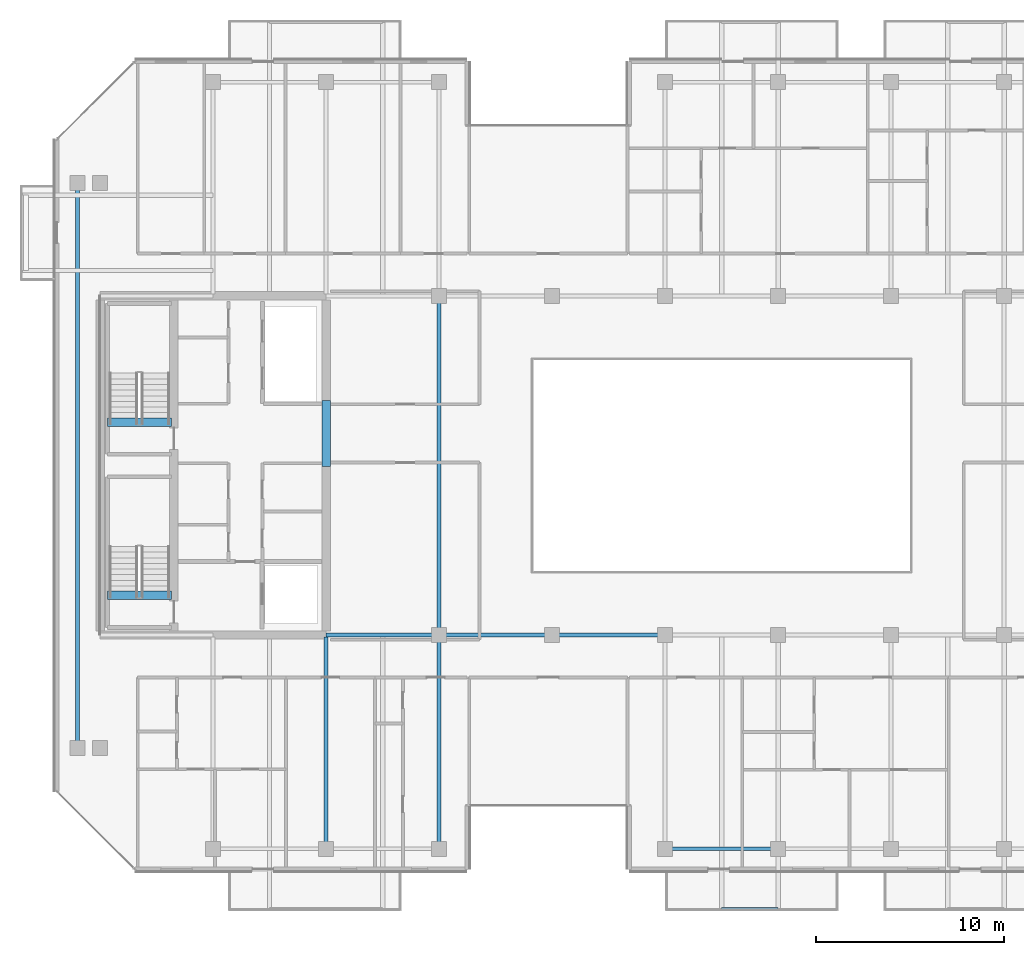
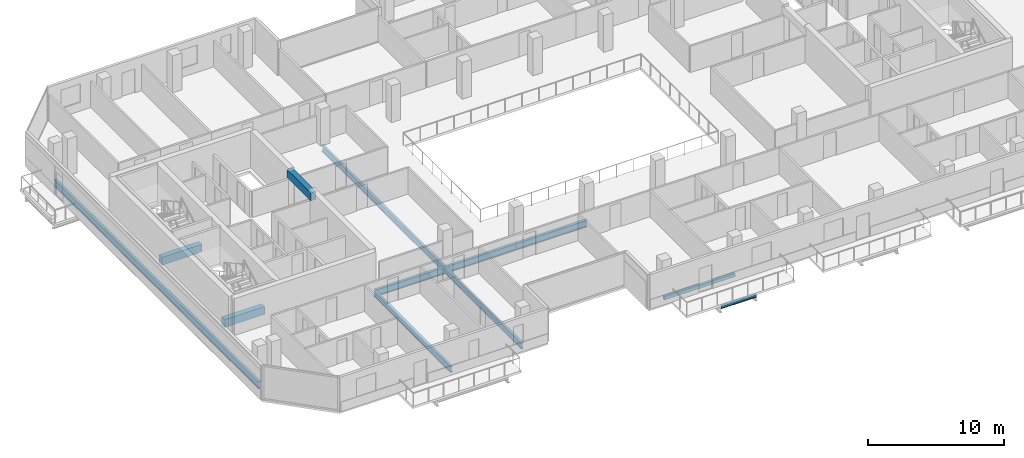
# One storey, part 5 of 28: 12 beams.
"""IFC4 building model written with IfcOpenShell, lengths in metres."""

from ifc_helpers import new_model, si_unit, direction, frame, origin, origin_2d, place, context, subcontext, project, spatial, rectangle, hollow_rectangle, i_section, extrude, material, material_profile, profile_set, type_object, element, save


model = new_model("IFC4")

# Units and contexts
model_context = context("Model", 3, precision=1e-05, world=origin(), true_north=direction((0.0, 1.0)))
body_context = subcontext(model_context, "Body", "Model", "MODEL_VIEW")
ifc_project = project(units=[si_unit("LENGTHUNIT", "METRE"), si_unit("AREAUNIT", "SQUARE_METRE"), si_unit("VOLUMEUNIT", "CUBIC_METRE"), si_unit("PLANEANGLEUNIT", "RADIAN"), si_unit("MASSUNIT", "GRAM", prefix="KILO")], contexts=[model_context])

# Site, building, storey
site_placement = place(None, origin())
site = spatial("IfcSite", under=ifc_project, at=site_placement, CompositionType="ELEMENT")
building_placement = place(site_placement, origin())
building = spatial("IfcBuilding", under=site, at=building_placement, Name="Tanjung Sevakor Pilgrim Tower", CompositionType="ELEMENT")
storey_placement = place(building_placement, frame((0.0, 0.0, 185.1298828125)))
storey = spatial("IfcBuildingStorey", under=building, at=storey_placement, Name="L51", CompositionType="ELEMENT", Elevation=185.1298828125)

# Beams
ifc_material_1 = material(Name="Steel S355J2", Category="steel")
ifc_material_profile_1 = material_profile(ifc_material_1, i_section(OverallWidth=0.22900390625, OverallDepth=0.6123046875, WebThickness=0.011962890625, FlangeThickness=0.01953125, FilletRadius=0.0126953125, at=origin_2d()))
ifc_profile_set_1 = profile_set([ifc_material_profile_1], Name="Steel S355J2")
beam_type_1 = type_object("IfcBeamType", Name="BM-B-G4-UB_610x229x125", PredefinedType="BEAM", material=ifc_profile_set_1)
beam_1_placement = place(storey_placement, frame((22.800048828125, 18.60009765625, -0.52587890625), z_axis=(0.0, 1.0, 0.0), x_axis=(-1.0, 0.0, 0.0)))
element("IfcBeam", 1, at=beam_1_placement, inside=storey, type_object=beam_type_1, Name="L51 Short-End Edge Girder W", PredefinedType="BEAM", context=body_context, shape_type="SweptSolid", body=[
    extrude(i_section(OverallWidth=0.22900390625, OverallDepth=0.6123046875, WebThickness=0.011962890625, FlangeThickness=0.01953125, FilletRadius=0.0126953125, at=origin_2d()), origin(), (0.0, 0.0, 1.0), 30.0),
])
for number, where, z_axis, x_axis, name in (
    (2, (36.0, 24.60009765625, -0.52587890625), (1.0, 0.0, 0.0), (0.0, 1.0, 0.0), "L51 Primary Floor Girder MAIN Y246-02"),
    (3, (42.0, 24.60009765625, -0.52587890625), (1.0, 0.0, 0.0), (0.0, 1.0, 0.0), "L51 Primary Floor Girder MAIN Y246-03"),
    (4, (48.0, 24.60009765625, -0.52587890625), (1.0, 0.0, 0.0), (0.0, 1.0, 0.0), "L51 Primary Floor Girder MAIN Y246-04"),
):
    element("IfcBeam", number, at=place(storey_placement, frame(where, z_axis=z_axis, x_axis=x_axis)), inside=storey, type_object=beam_type_1, Name=name, PredefinedType="BEAM", context=body_context, shape_type="SweptSolid", body=[
        extrude(i_section(OverallWidth=0.22900390625, OverallDepth=0.6123046875, WebThickness=0.011962890625, FlangeThickness=0.01953125, FilletRadius=0.0126953125, at=origin_2d()), origin(), (0.0, 0.0, 1.0), 6.0),
    ])
ifc_material_2 = material(Name="Steel S355J2", Category="steel")
ifc_material_profile_2 = material_profile(ifc_material_2, i_section(OverallWidth=0.2119140625, OverallDepth=0.54443359375, WebThickness=0.0126953125, FlangeThickness=0.021240234375, FilletRadius=0.0126953125, at=origin_2d()))
ifc_profile_set_2 = profile_set([ifc_material_profile_2], Name="Steel S355J2")
beam_type_2 = type_object("IfcBeamType", Name="BM-B-G5-UB_533x210x122", PredefinedType="BEAM", material=ifc_profile_set_2)
beam_2_placement = place(storey_placement, frame((36.0, 13.25, -0.4921875), z_axis=(0.0, 1.0, 0.0), x_axis=(-1.0, 0.0, 0.0)))
element("IfcBeam", 5, at=beam_2_placement, inside=storey, type_object=beam_type_2, Name="L51 MAIN Girder 003", PredefinedType="BEAM", context=body_context, shape_type="SweptSolid", body=[
    extrude(i_section(OverallWidth=0.2119140625, OverallDepth=0.54443359375, WebThickness=0.0126953125, FlangeThickness=0.021240234375, FilletRadius=0.0126953125, at=origin_2d()), origin(), (0.0, 0.0, 1.0), 11.235595703125),
])
beam_3_placement = place(storey_placement, frame((42.0, 13.25, -0.4921875), z_axis=(0.0, 1.0, 0.0), x_axis=(-1.0, 0.0, 0.0)))
element("IfcBeam", 6, at=beam_3_placement, inside=storey, type_object=beam_type_2, Name="L51 MAIN Girder 005", PredefinedType="BEAM", context=body_context, shape_type="SweptSolid", body=[
    extrude(i_section(OverallWidth=0.2119140625, OverallDepth=0.54443359375, WebThickness=0.0126953125, FlangeThickness=0.021240234375, FilletRadius=0.0126953125, at=origin_2d()), origin(), (0.0, 0.0, 1.0), 11.35009765625),
])
beam_4_placement = place(storey_placement, frame((42.0, 24.60009765625, -0.4921875), z_axis=(0.0, 1.0, 0.0), x_axis=(-1.0, 0.0, 0.0)))
element("IfcBeam", 7, at=beam_4_placement, inside=storey, type_object=beam_type_2, Name="L51 MAIN Girder 006", PredefinedType="BEAM", context=body_context, shape_type="SweptSolid", body=[
    extrude(i_section(OverallWidth=0.2119140625, OverallDepth=0.54443359375, WebThickness=0.0126953125, FlangeThickness=0.021240234375, FilletRadius=0.0126953125, at=origin_2d()), origin(), (0.0, 0.0, 1.0), 18.0),
])
ifc_material_3 = material(Name="Steel S355J2", Category="steel")
ifc_material_profile_3 = material_profile(ifc_material_3, i_section(OverallWidth=0.146484375, OverallDepth=0.256103515625, WebThickness=0.00634765625, FlangeThickness=0.010986328125, FilletRadius=0.007568359375, at=origin_2d()))
ifc_profile_set_3 = profile_set([ifc_material_profile_3], Name="Steel S355J2")
beam_type_3 = type_object("IfcBeamType", Name="BM-B-J6-UB_254x146x37", PredefinedType="JOIST", material=ifc_profile_set_3)
beam_5_placement = place(storey_placement, frame((57.0, 10.070068359375, -0.327880859375), z_axis=(1.0, 0.0, 0.0), x_axis=(0.0, 1.0, 0.0)))
element("IfcBeam", 8, at=beam_5_placement, inside=storey, type_object=beam_type_3, Name="L51 Balcony Rim Tie MAIN-S2", PredefinedType="JOIST", context=body_context, shape_type="SweptSolid", body=[
    extrude(i_section(OverallWidth=0.146484375, OverallDepth=0.256103515625, WebThickness=0.00634765625, FlangeThickness=0.010986328125, FilletRadius=0.007568359375, at=origin_2d()), origin(), (0.0, 0.0, 1.0), 3.0),
])
ifc_material_4 = material(Name="Concrete C60/75", Category="concrete")
ifc_material_profile_4 = material_profile(ifc_material_4, rectangle(XDim=0.449951171875, YDim=0.699951171875, at=origin_2d()))
ifc_profile_set_4 = profile_set([ifc_material_profile_4], Name="Concrete C60/75")
beam_type_4 = type_object("IfcBeamType", Name="BM-B-LN3-RC-BM_450x700", PredefinedType="LINTEL", material=ifc_profile_set_4)
beam_6_placement = place(storey_placement, frame((36.0, 33.550048828125, 2.730224609375), z_axis=(0.0, 1.0, 0.0), x_axis=(-1.0, 0.0, 0.0)))
element("IfcBeam", 9, at=beam_6_placement, inside=storey, type_object=beam_type_4, Name="L51 W Core Coupling Lintel", PredefinedType="LINTEL", context=body_context, shape_type="SweptSolid", body=[
    extrude(rectangle(XDim=0.449951171875, YDim=0.699951171875, at=origin_2d()), origin(), (0.0, 0.0, 1.0), 3.5),
])
for number, where, z_axis, x_axis, name in (
    (10, (24.39990234375, 26.699951171875, -0.349853515625), (1.0, 0.0, 0.0), (0.0, 1.0, 0.0), "L51 TS-W1 Stair Threshold Beam"),
    (11, (24.39990234375, 35.89990234375, -0.349853515625), (1.0, 0.0, 0.0), (0.0, 1.0, 0.0), "L51 TS-W2 Stair Threshold Beam"),
):
    element("IfcBeam", number, at=place(storey_placement, frame(where, z_axis=z_axis, x_axis=x_axis)), inside=storey, type_object=beam_type_4, Name=name, PredefinedType="LINTEL", context=body_context, shape_type="SweptSolid", body=[
        extrude(rectangle(XDim=0.449951171875, YDim=0.699951171875, at=origin_2d()), origin(), (0.0, 0.0, 1.0), 3.400146484375),
    ])
ifc_material_5 = material(Name="Steel S355J2", Category="steel")
ifc_material_profile_5 = material_profile(ifc_material_5, hollow_rectangle(XDim=0.199951171875, YDim=0.300048828125, WallThickness=0.012451171875, at=origin_2d()))
ifc_profile_set_5 = profile_set([ifc_material_profile_5], Name="Steel S355J2")
beam_type_5 = type_object("IfcBeamType", Name="BM-B-SP3-RHS_300x200x12.5", PredefinedType="SPANDREL", material=ifc_profile_set_5)
beam_7_placement = place(storey_placement, frame((54.0, 13.25, -0.369873046875), z_axis=(1.0, 0.0, 0.0), x_axis=(0.0, 1.0, 0.0)))
element("IfcBeam", 12, at=beam_7_placement, inside=storey, type_object=beam_type_5, Name="L51 Spandrel MAIN S-05", PredefinedType="SPANDREL", context=body_context, shape_type="SweptSolid", body=[
    extrude(hollow_rectangle(XDim=0.199951171875, YDim=0.300048828125, WallThickness=0.012451171875, at=origin_2d()), origin(), (0.0, 0.0, 1.0), 6.0),
])

save(model, "model.ifc")
